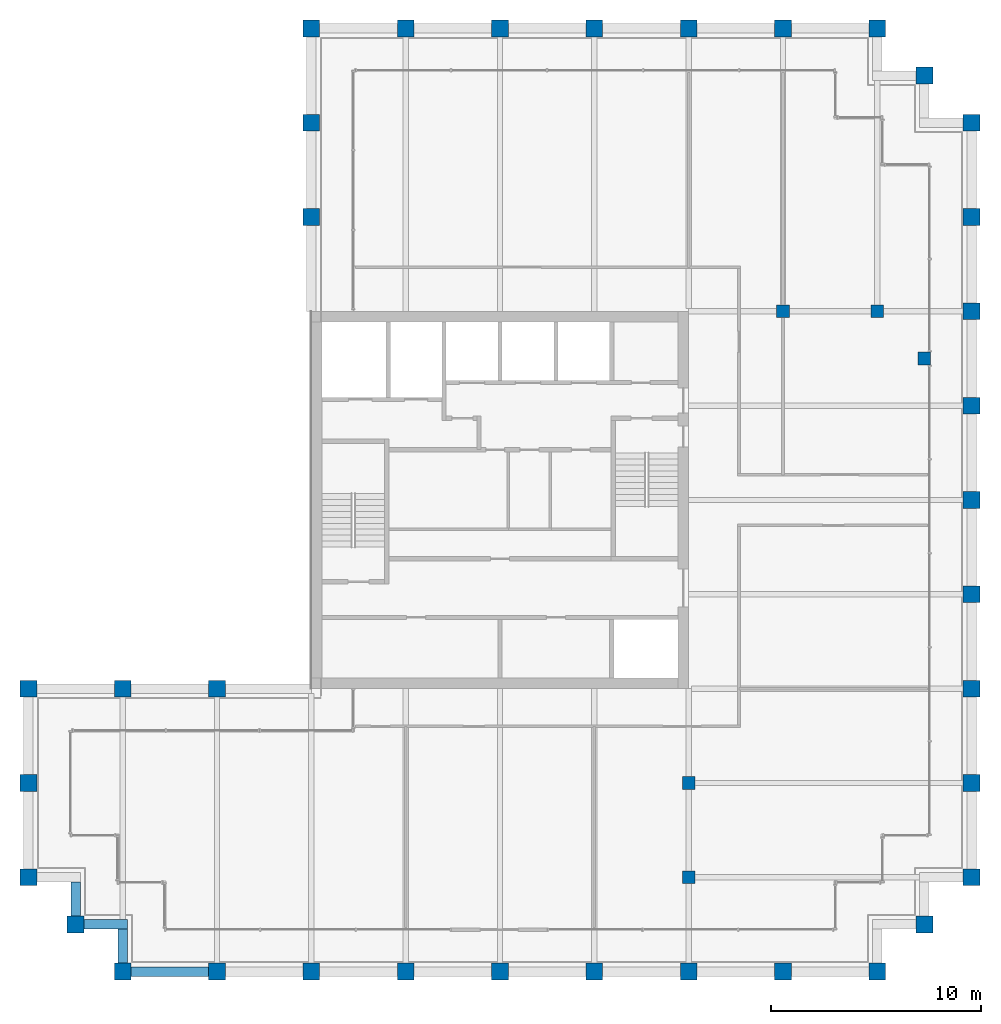
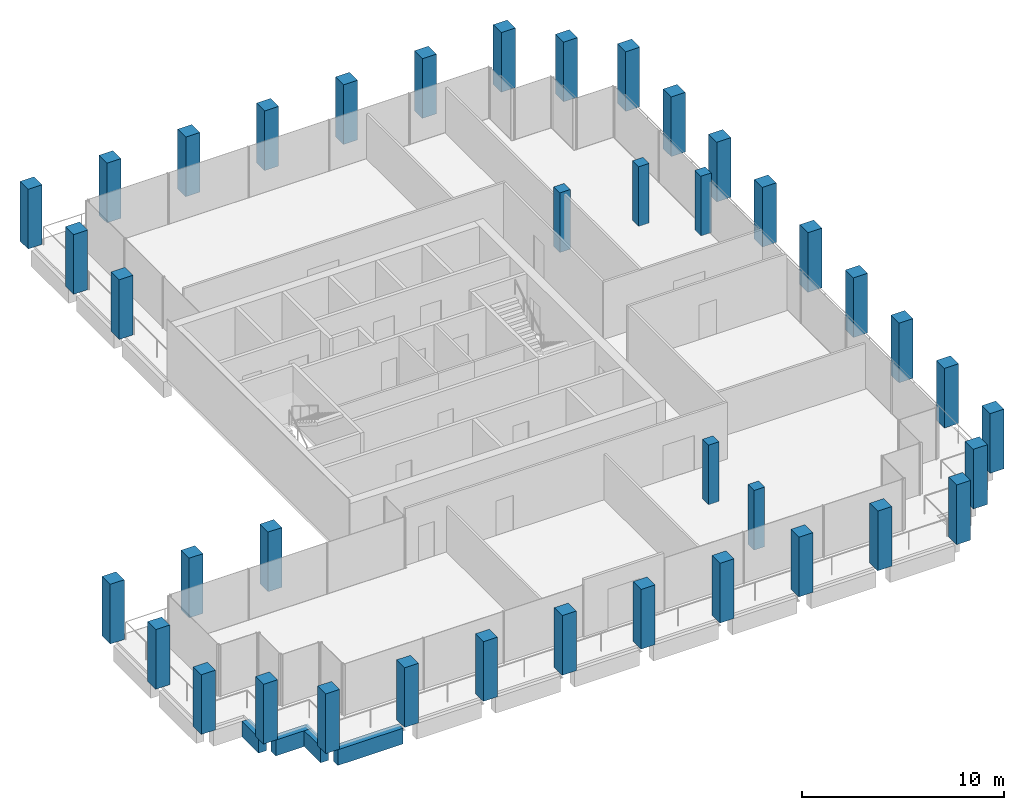
# One storey, part 1 of 30: 40 columns, 4 beams.
"""IFC4 building model written with IfcOpenShell, lengths in metres."""

import ifcopenshell
import ifcopenshell.guid

model = None  # the IFC model being written
_history = None  # IfcOwnerHistory: only IFC2X3 demands one
_inside = {}  # id of a spatial element -> (the spatial element, [elements in it])
_under = {}  # id of a project, library or spatial element -> (it, [spatial elements below it])
_declared = {}  # id of a project -> (the project, [libraries it declares])
_typed = {}  # id of a type object -> (the type object, [elements of that type])
_made_of = {}  # id of a material, layer set ... -> (it, [elements and type objects made of it])


def new_model(schema):
    """Start an empty IFC model of exactly this schema.

    Asked for "IFC4X3", IfcOpenShell would pick the latest addendum, in which some entities
    have other attributes; the version numbers below select the first issue.
    IFC2X3 requires an IfcOwnerHistory on every rooted entity: one is made here for all.
    """
    global model, _history
    if schema == "IFC4X3":
        model = ifcopenshell.file(schema_version=(4, 3, 0, 0))
    else:
        model = ifcopenshell.file(schema=schema)
    _inside.clear()
    _under.clear()
    _declared.clear()
    _typed.clear()
    _made_of.clear()
    _history = None
    if model.schema == "IFC2X3":
        org = make("IfcOrganization", Name="unknown")
        user = make(
            "IfcPersonAndOrganization",
            ThePerson=make("IfcPerson", FamilyName="unknown"),
            TheOrganization=org,
        )
        app = make(
            "IfcApplication",
            ApplicationDeveloper=org,
            Version="unknown",
            ApplicationFullName="unknown",
            ApplicationIdentifier="unknown",
        )
        _history = make(
            "IfcOwnerHistory",
            OwningUser=user,
            OwningApplication=app,
            ChangeAction="ADDED",
            CreationDate=0,
        )
    return model


def make(cls, **values):
    """One entity of the class cls with the attributes given. An attribute that is None is left unset."""
    return model.create_entity(
        cls, **{name: value for name, value in values.items() if value is not None}
    )


def rooted(cls, **values):
    """An entity with a GlobalId (a new one), such as an element, a storey or a relation."""
    return make(cls, GlobalId=ifcopenshell.guid.new(), OwnerHistory=_history, **values)


def si_unit(unit_type, name, prefix=None):
    """IfcSIUnit, for example si_unit("LENGTHUNIT", "METRE", prefix="MILLI")."""
    return make("IfcSIUnit", UnitType=unit_type, Prefix=prefix, Name=name)


def assignment(units):
    """IfcUnitAssignment: the units of a project."""
    return None if units is None else make("IfcUnitAssignment", Units=units)


def point(xyz):
    """IfcCartesianPoint."""
    return None if xyz is None else make("IfcCartesianPoint", Coordinates=xyz)


def direction(xyz):
    """IfcDirection."""
    return None if xyz is None else make("IfcDirection", DirectionRatios=xyz)


def frame(location, z_axis=None, x_axis=None):
    """IfcAxis2Placement3D, a coordinate frame: its origin and axes. An axis left out is left unset."""
    return make(
        "IfcAxis2Placement3D",
        Location=point(location),
        Axis=direction(z_axis),
        RefDirection=direction(x_axis),
    )


def frame_2d(location, x_axis=None):
    """IfcAxis2Placement2D, a coordinate frame in the plane: its origin and x axis."""
    return make(
        "IfcAxis2Placement2D", Location=point(location), RefDirection=direction(x_axis)
    )


def origin():
    """The frame at (0, 0, 0) with its axes left unset."""
    return frame((0.0, 0.0, 0.0))


def origin_2d():
    """The frame at (0, 0) in the plane with its x axis left unset."""
    return frame_2d((0.0, 0.0))


def place(relative_to, where):
    """IfcLocalPlacement: puts the frame where relative to a parent placement (None: the world)."""
    return make(
        "IfcLocalPlacement", PlacementRelTo=relative_to, RelativePlacement=where
    )


def context(
    kind, dimensions, precision=None, world=None, true_north=None, identifier=None
):
    """IfcGeometricRepresentationContext, for example the 3D "Model" context."""
    return make(
        "IfcGeometricRepresentationContext",
        ContextIdentifier=identifier,
        ContextType=kind,
        CoordinateSpaceDimension=dimensions,
        Precision=precision,
        WorldCoordinateSystem=world,
        TrueNorth=true_north,
    )


def subcontext(parent, identifier, kind, view, scale=None):
    """IfcGeometricRepresentationSubContext, for example "Body" below "Model"."""
    return make(
        "IfcGeometricRepresentationSubContext",
        ContextIdentifier=identifier,
        ContextType=kind,
        ParentContext=parent,
        TargetScale=scale,
        TargetView=view,
    )


def project(units=None, contexts=None):
    """IfcProject with its units and contexts."""
    return rooted(
        "IfcProject",
        Name="project",
        RepresentationContexts=contexts,
        UnitsInContext=assignment(units),
    )


def spatial(cls, under=None, at=None, **own):
    """A site, building, storey or space (cls), placed at a placement, below another one or the project."""
    s = rooted(cls, ObjectPlacement=at, **own)
    if under is not None:
        _under.setdefault(under.id(), (under, []))[1].append(s)
    return s


def profile(cls, at=None, kind="AREA", **sizes):
    """A parametric profile (cls). Its sizes go by their IFC names, for example OverallWidth=200.0."""
    return make(cls, ProfileType=kind, Position=at, **sizes)


def rectangle(**sizes):
    """IfcRectangleProfileDef."""
    return profile("IfcRectangleProfileDef", **sizes)


def extrude(swept, where, along, depth):
    """IfcExtrudedAreaSolid: the profile swept, set in the frame where, extruded along a direction by depth."""
    return make(
        "IfcExtrudedAreaSolid",
        SweptArea=swept,
        Position=where,
        ExtrudedDirection=direction(along),
        Depth=depth,
    )


def shape(context_of_items, identifier, shape_type, items):
    """IfcShapeRepresentation: the items that make up one representation, for example the "Body"."""
    return make(
        "IfcShapeRepresentation",
        ContextOfItems=context_of_items,
        RepresentationIdentifier=identifier,
        RepresentationType=shape_type,
        Items=items,
    )


def material(Name=None, Category=None):
    """IfcMaterial."""
    return make("IfcMaterial", Name=Name, Category=Category)


def material_profile(
    of_material, cross_section, Name=None, Category=None, Priority=None
):
    """IfcMaterialProfile: a cross section and its material."""
    return make(
        "IfcMaterialProfile",
        Name=Name,
        Material=of_material,
        Profile=cross_section,
        Priority=Priority,
        Category=Category,
    )


def profile_set(profiles, Name=None, composite=None):
    """IfcMaterialProfileSet."""
    return make(
        "IfcMaterialProfileSet",
        Name=Name,
        MaterialProfiles=profiles,
        CompositeProfile=composite,
    )


def made_of(thing, what):
    """Note that an element or type object is made of a material, layer set ...; save() writes the relation."""
    if what is not None:
        _made_of.setdefault(what.id(), (what, []))[1].append(thing)
    return thing


def type_object(cls, material=None, **own):
    """A type object (cls), such as IfcWallType, which elements share."""
    return made_of(rooted(cls, **own), material)


def element(
    cls,
    number,
    at=None,
    inside=None,
    cuts=None,
    type_object=None,
    material=None,
    context=None,
    identifier="Body",
    shape_type=None,
    held_by="IfcProductDefinitionShape",
    body=None,
    shapes=None,
    **own,
):
    """One element of the class cls, such as IfcWall. Its Tag is "e" and its number.

    at: its placement. inside: the storey or other place that contains it. cuts: it is an
    opening in that element (IfcRelVoidsElement). A single representation is given by context,
    identifier, shape_type and body (its items); several are given by shapes. held_by: the class
    of the entity that holds the representations. save() writes the other relations.
    """
    e = rooted(cls, Tag="e%d" % number, ObjectPlacement=at, **own)
    if body is not None:
        shapes = [shape(context, identifier, shape_type, body)]
    if shapes is not None:
        e.Representation = make(held_by, Representations=shapes)
    if inside is not None:
        _inside.setdefault(inside.id(), (inside, []))[1].append(e)
    if cuts is not None:
        rooted(
            "IfcRelVoidsElement", RelatingBuildingElement=cuts, RelatedOpeningElement=e
        )
    if type_object is not None:
        _typed.setdefault(type_object.id(), (type_object, []))[1].append(e)
    return made_of(e, material)


def aggregate(whole, parts):
    """IfcRelAggregates: a whole, such as a stair, and the parts it consists of."""
    return rooted("IfcRelAggregates", RelatingObject=whole, RelatedObjects=parts)


def save(model, path):
    """Write the relations noted so far, then the file.

    IfcRelAggregates (storeys below a building ...), IfcRelContainedInSpatialStructure (elements
    in a storey), IfcRelDefinesByType, IfcRelAssociatesMaterial and IfcRelDeclares: one each for
    every whole, place, type object, material and project.
    """
    for whole, parts in _under.values():
        aggregate(whole, parts)
    for where, things in _inside.values():
        rooted(
            "IfcRelContainedInSpatialStructure",
            RelatedElements=things,
            RelatingStructure=where,
        )
    for kind, things in _typed.values():
        rooted("IfcRelDefinesByType", RelatedObjects=things, RelatingType=kind)
    for what, things in _made_of.values():
        rooted("IfcRelAssociatesMaterial", RelatedObjects=things, RelatingMaterial=what)
    for by, libraries in _declared.values():
        rooted("IfcRelDeclares", RelatingContext=by, RelatedDefinitions=libraries)
    model.write(path)


model = new_model("IFC4")

# Units and contexts
model_context = context("Model", 3, precision=1e-05, world=origin(), true_north=direction((0.0, 1.0)))
body_context = subcontext(model_context, "Body", "Model", "MODEL_VIEW")
ifc_project = project(units=[si_unit("LENGTHUNIT", "METRE"), si_unit("AREAUNIT", "SQUARE_METRE"), si_unit("VOLUMEUNIT", "CUBIC_METRE"), si_unit("PLANEANGLEUNIT", "RADIAN"), si_unit("MASSUNIT", "GRAM", prefix="KILO")], contexts=[model_context])

# Site, building, storey
site_placement = place(None, origin())
site = spatial("IfcSite", under=ifc_project, at=site_placement, CompositionType="ELEMENT")
building_placement = place(site_placement, origin())
building = spatial("IfcBuilding", under=site, at=building_placement, Name="Altepetl Exchange Towers", CompositionType="ELEMENT")
storey_placement = place(building_placement, frame((0.0, 0.0, 238.800048828125)))
storey = spatial("IfcBuildingStorey", under=building, at=storey_placement, Name="L61", CompositionType="ELEMENT", Elevation=238.800048828125)

# Columns
ifc_material_1 = material(Name="Concrete C70/85", Category="concrete")
ifc_material_profile_1 = material_profile(ifc_material_1, rectangle(XDim=0.60009765625, YDim=0.60009765625, at=origin_2d()), Name="600 x 600")
ifc_profile_set_1 = profile_set([ifc_material_profile_1], Name="Concrete C70/85")
column_type_1 = type_object("IfcColumnType", Name="Interior column 600", PredefinedType="COLUMN", material=ifc_profile_set_1)
for number, where, name in (
    (1, (58.5, 31.5, 0.0), "col:A:L61:035"),
    (2, (58.5, 36.0, 0.0), "col:A:L61:036"),
    (3, (63.0, 58.5, 0.0), "col:A:L61:037"),
    (4, (67.5, 58.5, 0.0), "col:A:L61:038"),
    (5, (69.75, 56.25, 0.0), "col:A:L61:039"),
):
    element("IfcColumn", number, at=place(storey_placement, frame(where)), inside=storey, type_object=column_type_1, Name=name, PredefinedType="COLUMN", context=body_context, shape_type="SweptSolid", body=[
        extrude(rectangle(XDim=0.60009765625, YDim=0.60009765625, at=origin_2d()), origin(), (0.0, 0.0, 1.0), 3.599853515625),
    ])
ifc_material_2 = material(Name="Concrete C70/85 precast with cantera amarilla facing", Category="concrete")
ifc_material_profile_2 = material_profile(ifc_material_2, rectangle(XDim=0.800048828125, YDim=0.800048828125, at=origin_2d()), Name="800 x 800")
ifc_profile_set_2 = profile_set([ifc_material_profile_2], Name="Concrete C70/85 precast with cantera amarilla facing")
column_type_2 = type_object("IfcColumnType", Name="Perimeter column 800 cantera amarilla", PredefinedType="COLUMN", material=ifc_profile_set_2)
for number, where, name in (
    (6, (58.5, 27.0, 0.0), "col:A:L61:006"),
    (7, (63.0, 27.0, 0.0), "col:A:L61:007"),
    (8, (67.5, 27.0, 0.0), "col:A:L61:008"),
    (9, (69.75, 29.25, 0.0), "col:A:L61:009"),
    (10, (72.0, 31.5, 0.0), "col:A:L61:010"),
    (11, (72.0, 36.0, 0.0), "col:A:L61:011"),
    (12, (72.0, 40.5, 0.0), "col:A:L61:012"),
    (13, (72.0, 45.0, 0.0), "col:A:L61:013"),
    (14, (72.0, 49.5, 0.0), "col:A:L61:014"),
    (15, (72.0, 54.0, 0.0), "col:A:L61:015"),
):
    element("IfcColumn", number, at=place(storey_placement, frame(where)), inside=storey, type_object=column_type_2, Name=name, PredefinedType="COLUMN", context=body_context, shape_type="SweptSolid", body=[
        extrude(rectangle(XDim=0.800048828125, YDim=0.800048828125, at=origin_2d()), origin(), (0.0, 0.0, 1.0), 3.599853515625),
    ])
ifc_material_3 = material(Name="Concrete C70/85 precast with cantera blanca facing", Category="concrete")
ifc_material_profile_3 = material_profile(ifc_material_3, rectangle(XDim=0.800048828125, YDim=0.800048828125, at=origin_2d()), Name="800 x 800")
ifc_profile_set_3 = profile_set([ifc_material_profile_3], Name="Concrete C70/85 precast with cantera blanca facing")
column_type_3 = type_object("IfcColumnType", Name="Perimeter column 800 cantera blanca", PredefinedType="COLUMN", material=ifc_profile_set_3)
for number, where, name in (
    (16, (31.5, 27.0, 0.0), "col:A:L61:000"),
    (17, (36.0, 27.0, 0.0), "col:A:L61:001"),
    (18, (40.5, 27.0, 0.0), "col:A:L61:002"),
    (19, (45.0, 27.0, 0.0), "col:A:L61:003"),
    (20, (49.5, 27.0, 0.0), "col:A:L61:004"),
    (21, (54.0, 27.0, 0.0), "col:A:L61:005"),
    (22, (27.0, 36.0, 0.0), "col:A:L61:032"),
    (23, (27.0, 31.5, 0.0), "col:A:L61:033"),
    (24, (29.25, 29.25, 0.0), "col:A:L61:034"),
):
    element("IfcColumn", number, at=place(storey_placement, frame(where)), inside=storey, type_object=column_type_3, Name=name, PredefinedType="COLUMN", context=body_context, shape_type="SweptSolid", body=[
        extrude(rectangle(XDim=0.800048828125, YDim=0.800048828125, at=origin_2d()), origin(), (0.0, 0.0, 1.0), 3.599853515625),
    ])
ifc_material_4 = material(Name="Concrete C70/85 precast with cantera rosa facing", Category="concrete")
ifc_material_profile_4 = material_profile(ifc_material_4, rectangle(XDim=0.800048828125, YDim=0.800048828125, at=origin_2d()), Name="800 x 800")
ifc_profile_set_4 = profile_set([ifc_material_profile_4], Name="Concrete C70/85 precast with cantera rosa facing")
column_type_4 = type_object("IfcColumnType", Name="Perimeter column 800 cantera rosa", PredefinedType="COLUMN", material=ifc_profile_set_4)
for number, where, name in (
    (25, (72.0, 58.5, 0.0), "col:A:L61:016"),
    (26, (72.0, 63.0, 0.0), "col:A:L61:017"),
    (27, (72.0, 67.5, 0.0), "col:A:L61:018"),
    (28, (69.75, 69.75, 0.0), "col:A:L61:019"),
    (29, (67.5, 72.0, 0.0), "col:A:L61:020"),
    (30, (63.0, 72.0, 0.0), "col:A:L61:021"),
    (31, (58.5, 72.0, 0.0), "col:A:L61:022"),
    (32, (54.0, 72.0, 0.0), "col:A:L61:023"),
    (33, (49.5, 72.0, 0.0), "col:A:L61:024"),
    (34, (45.0, 72.0, 0.0), "col:A:L61:025"),
):
    element("IfcColumn", number, at=place(storey_placement, frame(where)), inside=storey, type_object=column_type_4, Name=name, PredefinedType="COLUMN", context=body_context, shape_type="SweptSolid", body=[
        extrude(rectangle(XDim=0.800048828125, YDim=0.800048828125, at=origin_2d()), origin(), (0.0, 0.0, 1.0), 3.599853515625),
    ])
ifc_material_5 = material(Name="Concrete C70/85 precast with tezontle facing", Category="concrete")
ifc_material_profile_5 = material_profile(ifc_material_5, rectangle(XDim=0.800048828125, YDim=0.800048828125, at=origin_2d()), Name="800 x 800")
ifc_profile_set_5 = profile_set([ifc_material_profile_5], Name="Concrete C70/85 precast with tezontle facing")
column_type_5 = type_object("IfcColumnType", Name="Perimeter column 800 tezontle", PredefinedType="COLUMN", material=ifc_profile_set_5)
for number, where, name in (
    (35, (40.5, 72.0, 0.0), "col:A:L61:026"),
    (36, (40.5, 67.5, 0.0), "col:A:L61:027"),
    (37, (40.5, 63.0, 0.0), "col:A:L61:028"),
    (38, (36.0, 40.5, 0.0), "col:A:L61:029"),
    (39, (31.5, 40.5, 0.0), "col:A:L61:030"),
    (40, (27.0, 40.5, 0.0), "col:A:L61:031"),
):
    element("IfcColumn", number, at=place(storey_placement, frame(where)), inside=storey, type_object=column_type_5, Name=name, PredefinedType="COLUMN", context=body_context, shape_type="SweptSolid", body=[
        extrude(rectangle(XDim=0.800048828125, YDim=0.800048828125, at=origin_2d()), origin(), (0.0, 0.0, 1.0), 3.599853515625),
    ])

# Beams
ifc_material_6 = material(Name="Concrete C50/60 precast with cantera blanca facing", Category="concrete")
ifc_material_profile_6 = material_profile(ifc_material_6, rectangle(XDim=0.449951171875, YDim=0.949951171875, at=origin_2d()), Name="450 x 950")
ifc_profile_set_6 = profile_set([ifc_material_profile_6], Name="Concrete C50/60 precast with cantera blanca facing")
beam_type = type_object("IfcBeamType", Name="Spandrel beam 450x950 cantera blanca", PredefinedType="SPANDREL", material=ifc_profile_set_6)
beam_1_placement = place(storey_placement, frame((31.89990234375, 27.0, -0.625), z_axis=(1.0, 0.0, 0.0), x_axis=(0.0, 1.0, 0.0)))
element("IfcBeam", 41, at=beam_1_placement, inside=storey, type_object=beam_type, Name="sp:A:L61:000", PredefinedType="SPANDREL", context=body_context, shape_type="SweptSolid", body=[
    extrude(rectangle(XDim=0.449951171875, YDim=0.949951171875, at=origin_2d()), origin(), (0.0, 0.0, 1.0), 3.7001953125),
])
beam_2_placement = place(storey_placement, frame((29.25, 31.27490234375, -0.625), z_axis=(0.0, -1.0, 0.0), x_axis=(1.0, 0.0, 0.0)))
element("IfcBeam", 42, at=beam_2_placement, inside=storey, type_object=beam_type, Name="sp:A:L61:039", PredefinedType="SPANDREL", context=body_context, shape_type="SweptSolid", body=[
    extrude(rectangle(XDim=0.449951171875, YDim=0.949951171875, at=origin_2d()), origin(), (0.0, 0.0, 1.0), 1.625),
])
beam_3_placement = place(storey_placement, frame((29.64990234375, 29.25, -0.625), z_axis=(1.0, 0.0, 0.0), x_axis=(0.0, 1.0, 0.0)))
element("IfcBeam", 43, at=beam_3_placement, inside=storey, type_object=beam_type, Name="sp:A:L61:040", PredefinedType="SPANDREL", context=body_context, shape_type="SweptSolid", body=[
    extrude(rectangle(XDim=0.449951171875, YDim=0.949951171875, at=origin_2d()), origin(), (0.0, 0.0, 1.0), 2.0751953125),
])
beam_4_placement = place(storey_placement, frame((31.5, 29.02490234375, -0.625), z_axis=(0.0, -1.0, 0.0), x_axis=(1.0, 0.0, 0.0)))
element("IfcBeam", 44, at=beam_4_placement, inside=storey, type_object=beam_type, Name="sp:A:L61:041", PredefinedType="SPANDREL", context=body_context, shape_type="SweptSolid", body=[
    extrude(rectangle(XDim=0.449951171875, YDim=0.949951171875, at=origin_2d()), origin(), (0.0, 0.0, 1.0), 1.625),
])

save(model, "model.ifc")
